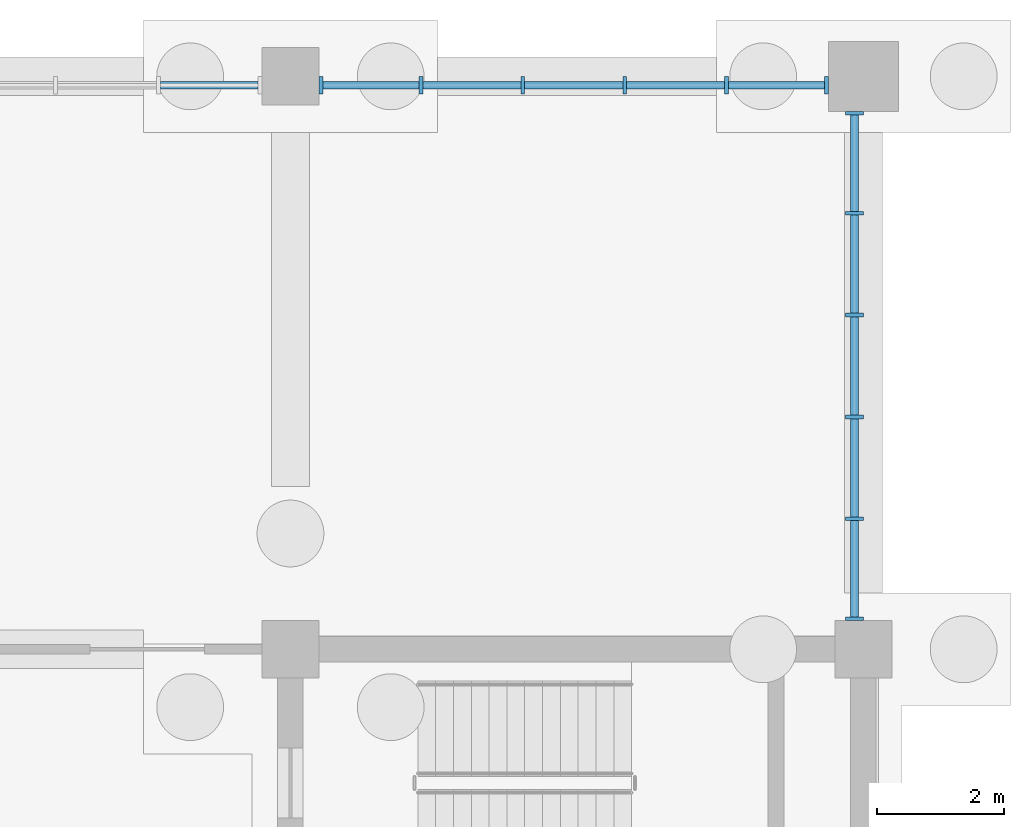
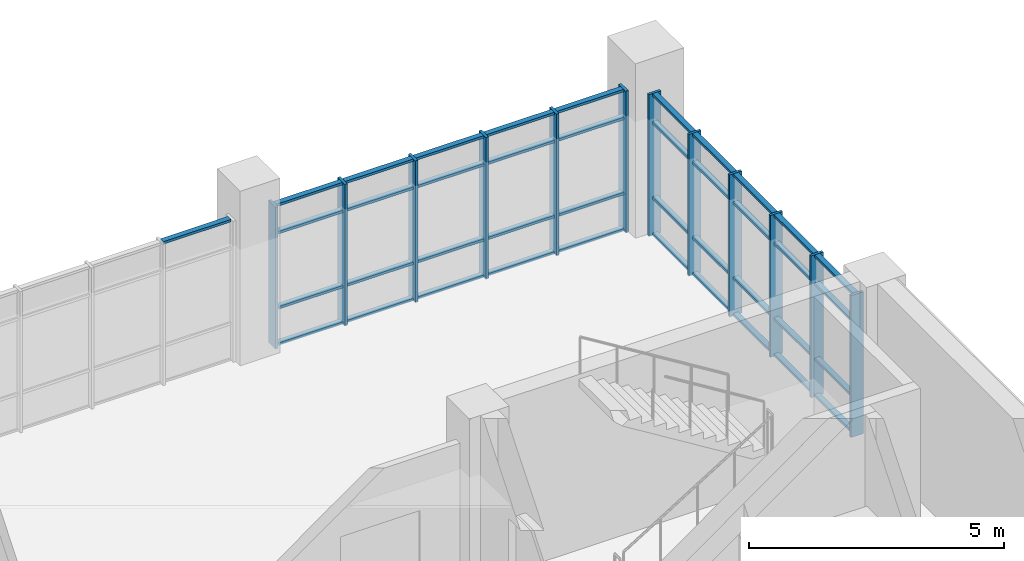
# One storey, part 49 of 106: 53 members, 3 elements without a shape of their own.
"""IFC4 building model written with IfcOpenShell, lengths in metres."""

from ifc_helpers import new_model, si_unit, direction, frame, origin, origin_2d, place, context, subcontext, project, spatial, rectangle, extrude, material, material_profile, profile_set, type_object, element, aggregate, save


model = new_model("IFC4")

# Units and contexts
model_context = context("Model", 3, precision=1e-05, world=origin(), true_north=direction((0.0, 1.0)))
body_context = subcontext(model_context, "Body", "Model", "MODEL_VIEW")
ifc_project = project(units=[si_unit("LENGTHUNIT", "METRE"), si_unit("AREAUNIT", "SQUARE_METRE"), si_unit("VOLUMEUNIT", "CUBIC_METRE"), si_unit("PLANEANGLEUNIT", "RADIAN"), si_unit("MASSUNIT", "GRAM", prefix="KILO")], contexts=[model_context])

# Site, building, storey
site_placement = place(None, origin())
site = spatial("IfcSite", under=ifc_project, at=site_placement, CompositionType="ELEMENT")
building_placement = place(site_placement, origin())
building = spatial("IfcBuilding", under=site, at=building_placement, Name="Merrow Basin Faculty of Sciences", CompositionType="ELEMENT")
storey_placement = place(building_placement, origin())
storey = spatial("IfcBuildingStorey", under=building, at=storey_placement, Name="L00", CompositionType="ELEMENT", Elevation=0.0)

# Curtain wall, members
ifc_material_1 = material(Name="Aluminium alloy 6063", Category="aluminium")
curtain_wall_type = type_object("IfcCurtainWallType", Name="Tower lobby curtain wall 280", PredefinedType="NOTDEFINED", material=ifc_material_1)
curtain_wall_1_placement = place(storey_placement, origin())
curtain_wall_1 = element("IfcCurtainWall", 1, at=curtain_wall_1_placement, inside=storey, type_object=curtain_wall_type, Name="N curtain wall L00 5", PredefinedType="NOTDEFINED")
ifc_material_2 = material(Name="Aluminium alloy 6063", Category="aluminium")
ifc_material_profile_1 = material_profile(ifc_material_2, rectangle(XDim=0.280029296875, YDim=0.06005859375, at=origin_2d()))
ifc_profile_set_1 = profile_set([ifc_material_profile_1], Name="Aluminium alloy 6063")
member_type_1 = type_object("IfcMemberType", Name="Aluminium mullion 60x280", PredefinedType="MULLION", material=ifc_profile_set_1)
member_1_placement = place(storey_placement, frame((45.47998046875, 168.860107421875, 0.0), z_axis=(0.0, 0.0, 1.0), x_axis=(0.0, 1.0, 0.0)))
member_1 = element("IfcMember", 2, at=member_1_placement, type_object=member_type_1, Name="CW10 mullion 1", PredefinedType="MULLION", context=body_context, shape_type="SweptSolid", body=[
    extrude(rectangle(XDim=0.280029296875, YDim=0.06005859375, at=origin_2d()), origin(), (0.0, 0.0, 1.0), 3.39990234375),
])
member_2_placement = place(storey_placement, frame((47.050048828125, 168.860107421875, 0.0), z_axis=(0.0, 0.0, 1.0), x_axis=(0.0, 1.0, 0.0)))
member_2 = element("IfcMember", 3, at=member_2_placement, type_object=member_type_1, Name="CW10 mullion 2", PredefinedType="MULLION", context=body_context, shape_type="SweptSolid", body=[
    extrude(rectangle(XDim=0.280029296875, YDim=0.06005859375, at=origin_2d()), origin(), (0.0, 0.0, 1.0), 3.39990234375),
])
member_3_placement = place(storey_placement, frame((48.64990234375, 168.860107421875, 0.0), z_axis=(0.0, 0.0, 1.0), x_axis=(0.0, 1.0, 0.0)))
member_3 = element("IfcMember", 4, at=member_3_placement, type_object=member_type_1, Name="CW10 mullion 3", PredefinedType="MULLION", context=body_context, shape_type="SweptSolid", body=[
    extrude(rectangle(XDim=0.280029296875, YDim=0.06005859375, at=origin_2d()), origin(), (0.0, 0.0, 1.0), 3.39990234375),
])
member_4_placement = place(storey_placement, frame((50.25, 168.860107421875, 0.0), z_axis=(0.0, 0.0, 1.0), x_axis=(0.0, 1.0, 0.0)))
member_4 = element("IfcMember", 5, at=member_4_placement, type_object=member_type_1, Name="CW10 mullion 4", PredefinedType="MULLION", context=body_context, shape_type="SweptSolid", body=[
    extrude(rectangle(XDim=0.280029296875, YDim=0.06005859375, at=origin_2d()), origin(), (0.0, 0.0, 1.0), 3.39990234375),
])
member_5_placement = place(storey_placement, frame((51.85009765625, 168.860107421875, 0.0), z_axis=(0.0, 0.0, 1.0), x_axis=(0.0, 1.0, 0.0)))
member_5 = element("IfcMember", 6, at=member_5_placement, type_object=member_type_1, Name="CW10 mullion 5", PredefinedType="MULLION", context=body_context, shape_type="SweptSolid", body=[
    extrude(rectangle(XDim=0.280029296875, YDim=0.06005859375, at=origin_2d()), origin(), (0.0, 0.0, 1.0), 3.39990234375),
])
member_6_placement = place(storey_placement, frame((53.419921875, 168.860107421875, 0.0), z_axis=(0.0, 0.0, 1.0), x_axis=(0.0, 1.0, 0.0)))
member_6 = element("IfcMember", 7, at=member_6_placement, type_object=member_type_1, Name="CW10 mullion 6", PredefinedType="MULLION", context=body_context, shape_type="SweptSolid", body=[
    extrude(rectangle(XDim=0.280029296875, YDim=0.06005859375, at=origin_2d()), origin(), (0.0, 0.0, 1.0), 3.39990234375),
])

curtain_wall_2_placement = place(storey_placement, origin())
curtain_wall_2 = element("IfcCurtainWall", 8, at=curtain_wall_2_placement, inside=storey, type_object=curtain_wall_type, Name="E curtain wall L00 1", PredefinedType="NOTDEFINED")
member_7_placement = place(storey_placement, frame((53.860107421875, 160.47998046875, 0.0), z_axis=(0.0, 0.0, 1.0), x_axis=(-1.0, 0.0, 0.0)))
member_7 = element("IfcMember", 9, at=member_7_placement, type_object=member_type_1, Name="CW10 mullion 1", PredefinedType="MULLION", context=body_context, shape_type="SweptSolid", body=[
    extrude(rectangle(XDim=0.280029296875, YDim=0.06005859375, at=origin_2d()), origin(), (0.0, 0.0, 1.0), 3.39990234375),
])
member_8_placement = place(storey_placement, frame((53.860107421875, 162.050048828125, 0.0), z_axis=(0.0, 0.0, 1.0), x_axis=(-1.0, 0.0, 0.0)))
member_8 = element("IfcMember", 10, at=member_8_placement, type_object=member_type_1, Name="CW10 mullion 2", PredefinedType="MULLION", context=body_context, shape_type="SweptSolid", body=[
    extrude(rectangle(XDim=0.280029296875, YDim=0.06005859375, at=origin_2d()), origin(), (0.0, 0.0, 1.0), 3.39990234375),
])
member_9_placement = place(storey_placement, frame((53.860107421875, 163.64990234375, 0.0), z_axis=(0.0, 0.0, 1.0), x_axis=(-1.0, 0.0, 0.0)))
member_9 = element("IfcMember", 11, at=member_9_placement, type_object=member_type_1, Name="CW10 mullion 3", PredefinedType="MULLION", context=body_context, shape_type="SweptSolid", body=[
    extrude(rectangle(XDim=0.280029296875, YDim=0.06005859375, at=origin_2d()), origin(), (0.0, 0.0, 1.0), 3.39990234375),
])
member_10_placement = place(storey_placement, frame((53.860107421875, 165.25, 0.0), z_axis=(0.0, 0.0, 1.0), x_axis=(-1.0, 0.0, 0.0)))
member_10 = element("IfcMember", 12, at=member_10_placement, type_object=member_type_1, Name="CW10 mullion 4", PredefinedType="MULLION", context=body_context, shape_type="SweptSolid", body=[
    extrude(rectangle(XDim=0.280029296875, YDim=0.06005859375, at=origin_2d()), origin(), (0.0, 0.0, 1.0), 3.39990234375),
])
member_11_placement = place(storey_placement, frame((53.860107421875, 166.85009765625, 0.0), z_axis=(0.0, 0.0, 1.0), x_axis=(-1.0, 0.0, 0.0)))
member_11 = element("IfcMember", 13, at=member_11_placement, type_object=member_type_1, Name="CW10 mullion 5", PredefinedType="MULLION", context=body_context, shape_type="SweptSolid", body=[
    extrude(rectangle(XDim=0.280029296875, YDim=0.06005859375, at=origin_2d()), origin(), (0.0, 0.0, 1.0), 3.39990234375),
])
member_12_placement = place(storey_placement, frame((53.860107421875, 168.419921875, 0.0), z_axis=(0.0, 0.0, 1.0), x_axis=(-1.0, 0.0, 0.0)))
member_12 = element("IfcMember", 14, at=member_12_placement, type_object=member_type_1, Name="CW10 mullion 6", PredefinedType="MULLION", context=body_context, shape_type="SweptSolid", body=[
    extrude(rectangle(XDim=0.280029296875, YDim=0.06005859375, at=origin_2d()), origin(), (0.0, 0.0, 1.0), 3.39990234375),
])

# Curtain wall, member
curtain_wall_3_placement = place(storey_placement, origin())
curtain_wall_3 = element("IfcCurtainWall", 15, at=curtain_wall_3_placement, inside=storey, type_object=curtain_wall_type, Name="N curtain wall L00 4", PredefinedType="NOTDEFINED")
ifc_material_3 = material(Name="Aluminium alloy 6063", Category="aluminium")
ifc_material_profile_2 = material_profile(ifc_material_3, rectangle(XDim=0.1201171875, YDim=0.06005859375, at=origin_2d()))
ifc_profile_set_2 = profile_set([ifc_material_profile_2], Name="Aluminium alloy 6063")
member_type_2 = type_object("IfcMemberType", Name="Aluminium transom 60x120", PredefinedType="USERDEFINED", material=ifc_profile_set_2)
member_13_placement = place(storey_placement, frame((42.9599609375, 168.860107421875, 3.3701171875), z_axis=(1.0, 0.0, 0.0), x_axis=(0.0, 1.0, 0.0)))
member_13 = element("IfcMember", 16, at=member_13_placement, type_object=member_type_2, Name="CW10 transom 5.4", ObjectType="TRANSOM", PredefinedType="USERDEFINED", context=body_context, shape_type="SweptSolid", body=[
    extrude(rectangle(XDim=0.1201171875, YDim=0.06005859375, at=origin_2d()), origin(), (0.0, 0.0, 1.0), 1.530029296875),
])
aggregate(curtain_wall_3, [member_13])

# Member
member_14_placement = place(storey_placement, frame((45.510009765625, 168.860107421875, 0.030029296875), z_axis=(1.0, 0.0, 0.0), x_axis=(0.0, 1.0, 0.0)))
member_14 = element("IfcMember", 17, at=member_14_placement, type_object=member_type_2, Name="CW10 transom 1.1", ObjectType="TRANSOM", PredefinedType="USERDEFINED", context=body_context, shape_type="SweptSolid", body=[
    extrude(rectangle(XDim=0.1201171875, YDim=0.06005859375, at=origin_2d()), origin(), (0.0, 0.0, 1.0), 1.510009765625),
])

member_15_placement = place(storey_placement, frame((45.510009765625, 168.860107421875, 0.89990234375), z_axis=(1.0, 0.0, 0.0), x_axis=(0.0, 1.0, 0.0)))
member_15 = element("IfcMember", 18, at=member_15_placement, type_object=member_type_2, Name="CW10 transom 1.2", ObjectType="TRANSOM", PredefinedType="USERDEFINED", context=body_context, shape_type="SweptSolid", body=[
    extrude(rectangle(XDim=0.1201171875, YDim=0.06005859375, at=origin_2d()), origin(), (0.0, 0.0, 1.0), 1.510009765625),
])

member_16_placement = place(storey_placement, frame((45.510009765625, 168.860107421875, 2.699951171875), z_axis=(1.0, 0.0, 0.0), x_axis=(0.0, 1.0, 0.0)))
member_16 = element("IfcMember", 19, at=member_16_placement, type_object=member_type_2, Name="CW10 transom 1.3", ObjectType="TRANSOM", PredefinedType="USERDEFINED", context=body_context, shape_type="SweptSolid", body=[
    extrude(rectangle(XDim=0.1201171875, YDim=0.06005859375, at=origin_2d()), origin(), (0.0, 0.0, 1.0), 1.510009765625),
])

member_17_placement = place(storey_placement, frame((45.510009765625, 168.860107421875, 3.3701171875), z_axis=(1.0, 0.0, 0.0), x_axis=(0.0, 1.0, 0.0)))
member_17 = element("IfcMember", 20, at=member_17_placement, type_object=member_type_2, Name="CW10 transom 1.4", ObjectType="TRANSOM", PredefinedType="USERDEFINED", context=body_context, shape_type="SweptSolid", body=[
    extrude(rectangle(XDim=0.1201171875, YDim=0.06005859375, at=origin_2d()), origin(), (0.0, 0.0, 1.0), 1.510009765625),
])

member_18_placement = place(storey_placement, frame((47.080078125, 168.860107421875, 0.030029296875), z_axis=(1.0, 0.0, 0.0), x_axis=(0.0, 1.0, 0.0)))
member_18 = element("IfcMember", 21, at=member_18_placement, type_object=member_type_2, Name="CW10 transom 2.1", ObjectType="TRANSOM", PredefinedType="USERDEFINED", context=body_context, shape_type="SweptSolid", body=[
    extrude(rectangle(XDim=0.1201171875, YDim=0.06005859375, at=origin_2d()), origin(), (0.0, 0.0, 1.0), 1.5400390625),
])

member_19_placement = place(storey_placement, frame((47.080078125, 168.860107421875, 0.89990234375), z_axis=(1.0, 0.0, 0.0), x_axis=(0.0, 1.0, 0.0)))
member_19 = element("IfcMember", 22, at=member_19_placement, type_object=member_type_2, Name="CW10 transom 2.2", ObjectType="TRANSOM", PredefinedType="USERDEFINED", context=body_context, shape_type="SweptSolid", body=[
    extrude(rectangle(XDim=0.1201171875, YDim=0.06005859375, at=origin_2d()), origin(), (0.0, 0.0, 1.0), 1.5400390625),
])

member_20_placement = place(storey_placement, frame((47.080078125, 168.860107421875, 2.699951171875), z_axis=(1.0, 0.0, 0.0), x_axis=(0.0, 1.0, 0.0)))
member_20 = element("IfcMember", 23, at=member_20_placement, type_object=member_type_2, Name="CW10 transom 2.3", ObjectType="TRANSOM", PredefinedType="USERDEFINED", context=body_context, shape_type="SweptSolid", body=[
    extrude(rectangle(XDim=0.1201171875, YDim=0.06005859375, at=origin_2d()), origin(), (0.0, 0.0, 1.0), 1.5400390625),
])

member_21_placement = place(storey_placement, frame((47.080078125, 168.860107421875, 3.3701171875), z_axis=(1.0, 0.0, 0.0), x_axis=(0.0, 1.0, 0.0)))
member_21 = element("IfcMember", 24, at=member_21_placement, type_object=member_type_2, Name="CW10 transom 2.4", ObjectType="TRANSOM", PredefinedType="USERDEFINED", context=body_context, shape_type="SweptSolid", body=[
    extrude(rectangle(XDim=0.1201171875, YDim=0.06005859375, at=origin_2d()), origin(), (0.0, 0.0, 1.0), 1.5400390625),
])

member_22_placement = place(storey_placement, frame((48.679931640625, 168.860107421875, 0.030029296875), z_axis=(1.0, 0.0, 0.0), x_axis=(0.0, 1.0, 0.0)))
member_22 = element("IfcMember", 25, at=member_22_placement, type_object=member_type_2, Name="CW10 transom 3.1", ObjectType="TRANSOM", PredefinedType="USERDEFINED", context=body_context, shape_type="SweptSolid", body=[
    extrude(rectangle(XDim=0.1201171875, YDim=0.06005859375, at=origin_2d()), origin(), (0.0, 0.0, 1.0), 1.5400390625),
])

member_23_placement = place(storey_placement, frame((48.679931640625, 168.860107421875, 0.89990234375), z_axis=(1.0, 0.0, 0.0), x_axis=(0.0, 1.0, 0.0)))
member_23 = element("IfcMember", 26, at=member_23_placement, type_object=member_type_2, Name="CW10 transom 3.2", ObjectType="TRANSOM", PredefinedType="USERDEFINED", context=body_context, shape_type="SweptSolid", body=[
    extrude(rectangle(XDim=0.1201171875, YDim=0.06005859375, at=origin_2d()), origin(), (0.0, 0.0, 1.0), 1.5400390625),
])

member_24_placement = place(storey_placement, frame((48.679931640625, 168.860107421875, 2.699951171875), z_axis=(1.0, 0.0, 0.0), x_axis=(0.0, 1.0, 0.0)))
member_24 = element("IfcMember", 27, at=member_24_placement, type_object=member_type_2, Name="CW10 transom 3.3", ObjectType="TRANSOM", PredefinedType="USERDEFINED", context=body_context, shape_type="SweptSolid", body=[
    extrude(rectangle(XDim=0.1201171875, YDim=0.06005859375, at=origin_2d()), origin(), (0.0, 0.0, 1.0), 1.5400390625),
])

member_25_placement = place(storey_placement, frame((48.679931640625, 168.860107421875, 3.3701171875), z_axis=(1.0, 0.0, 0.0), x_axis=(0.0, 1.0, 0.0)))
member_25 = element("IfcMember", 28, at=member_25_placement, type_object=member_type_2, Name="CW10 transom 3.4", ObjectType="TRANSOM", PredefinedType="USERDEFINED", context=body_context, shape_type="SweptSolid", body=[
    extrude(rectangle(XDim=0.1201171875, YDim=0.06005859375, at=origin_2d()), origin(), (0.0, 0.0, 1.0), 1.5400390625),
])

member_26_placement = place(storey_placement, frame((50.280029296875, 168.860107421875, 0.030029296875), z_axis=(1.0, 0.0, 0.0), x_axis=(0.0, 1.0, 0.0)))
member_26 = element("IfcMember", 29, at=member_26_placement, type_object=member_type_2, Name="CW10 transom 4.1", ObjectType="TRANSOM", PredefinedType="USERDEFINED", context=body_context, shape_type="SweptSolid", body=[
    extrude(rectangle(XDim=0.1201171875, YDim=0.06005859375, at=origin_2d()), origin(), (0.0, 0.0, 1.0), 1.5400390625),
])

member_27_placement = place(storey_placement, frame((50.280029296875, 168.860107421875, 0.89990234375), z_axis=(1.0, 0.0, 0.0), x_axis=(0.0, 1.0, 0.0)))
member_27 = element("IfcMember", 30, at=member_27_placement, type_object=member_type_2, Name="CW10 transom 4.2", ObjectType="TRANSOM", PredefinedType="USERDEFINED", context=body_context, shape_type="SweptSolid", body=[
    extrude(rectangle(XDim=0.1201171875, YDim=0.06005859375, at=origin_2d()), origin(), (0.0, 0.0, 1.0), 1.5400390625),
])

member_28_placement = place(storey_placement, frame((50.280029296875, 168.860107421875, 2.699951171875), z_axis=(1.0, 0.0, 0.0), x_axis=(0.0, 1.0, 0.0)))
member_28 = element("IfcMember", 31, at=member_28_placement, type_object=member_type_2, Name="CW10 transom 4.3", ObjectType="TRANSOM", PredefinedType="USERDEFINED", context=body_context, shape_type="SweptSolid", body=[
    extrude(rectangle(XDim=0.1201171875, YDim=0.06005859375, at=origin_2d()), origin(), (0.0, 0.0, 1.0), 1.5400390625),
])

member_29_placement = place(storey_placement, frame((50.280029296875, 168.860107421875, 3.3701171875), z_axis=(1.0, 0.0, 0.0), x_axis=(0.0, 1.0, 0.0)))
member_29 = element("IfcMember", 32, at=member_29_placement, type_object=member_type_2, Name="CW10 transom 4.4", ObjectType="TRANSOM", PredefinedType="USERDEFINED", context=body_context, shape_type="SweptSolid", body=[
    extrude(rectangle(XDim=0.1201171875, YDim=0.06005859375, at=origin_2d()), origin(), (0.0, 0.0, 1.0), 1.5400390625),
])

member_30_placement = place(storey_placement, frame((51.8798828125, 168.860107421875, 0.030029296875), z_axis=(1.0, 0.0, 0.0), x_axis=(0.0, 1.0, 0.0)))
member_30 = element("IfcMember", 33, at=member_30_placement, type_object=member_type_2, Name="CW10 transom 5.1", ObjectType="TRANSOM", PredefinedType="USERDEFINED", context=body_context, shape_type="SweptSolid", body=[
    extrude(rectangle(XDim=0.1201171875, YDim=0.06005859375, at=origin_2d()), origin(), (0.0, 0.0, 1.0), 1.510009765625),
])

member_31_placement = place(storey_placement, frame((51.8798828125, 168.860107421875, 0.89990234375), z_axis=(1.0, 0.0, 0.0), x_axis=(0.0, 1.0, 0.0)))
member_31 = element("IfcMember", 34, at=member_31_placement, type_object=member_type_2, Name="CW10 transom 5.2", ObjectType="TRANSOM", PredefinedType="USERDEFINED", context=body_context, shape_type="SweptSolid", body=[
    extrude(rectangle(XDim=0.1201171875, YDim=0.06005859375, at=origin_2d()), origin(), (0.0, 0.0, 1.0), 1.510009765625),
])

member_32_placement = place(storey_placement, frame((51.8798828125, 168.860107421875, 2.699951171875), z_axis=(1.0, 0.0, 0.0), x_axis=(0.0, 1.0, 0.0)))
member_32 = element("IfcMember", 35, at=member_32_placement, type_object=member_type_2, Name="CW10 transom 5.3", ObjectType="TRANSOM", PredefinedType="USERDEFINED", context=body_context, shape_type="SweptSolid", body=[
    extrude(rectangle(XDim=0.1201171875, YDim=0.06005859375, at=origin_2d()), origin(), (0.0, 0.0, 1.0), 1.510009765625),
])

member_33_placement = place(storey_placement, frame((51.8798828125, 168.860107421875, 3.3701171875), z_axis=(1.0, 0.0, 0.0), x_axis=(0.0, 1.0, 0.0)))
member_33 = element("IfcMember", 36, at=member_33_placement, type_object=member_type_2, Name="CW10 transom 5.4", ObjectType="TRANSOM", PredefinedType="USERDEFINED", context=body_context, shape_type="SweptSolid", body=[
    extrude(rectangle(XDim=0.1201171875, YDim=0.06005859375, at=origin_2d()), origin(), (0.0, 0.0, 1.0), 1.510009765625),
])

aggregate(curtain_wall_1, [member_1, member_2, member_3, member_4, member_5, member_6, member_14, member_15, member_16, member_17, member_18, member_19, member_20, member_21, member_22, member_23, member_24, member_25, member_26, member_27, member_28, member_29, member_30, member_31, member_32, member_33])

member_34_placement = place(storey_placement, frame((53.860107421875, 160.510009765625, 0.030029296875), z_axis=(0.0, 1.0, 0.0), x_axis=(-1.0, 0.0, 0.0)))
member_34 = element("IfcMember", 37, at=member_34_placement, type_object=member_type_2, Name="CW10 transom 1.1", ObjectType="TRANSOM", PredefinedType="USERDEFINED", context=body_context, shape_type="SweptSolid", body=[
    extrude(rectangle(XDim=0.1201171875, YDim=0.06005859375, at=origin_2d()), origin(), (0.0, 0.0, 1.0), 1.510009765625),
])

member_35_placement = place(storey_placement, frame((53.860107421875, 160.510009765625, 0.89990234375), z_axis=(0.0, 1.0, 0.0), x_axis=(-1.0, 0.0, 0.0)))
member_35 = element("IfcMember", 38, at=member_35_placement, type_object=member_type_2, Name="CW10 transom 1.2", ObjectType="TRANSOM", PredefinedType="USERDEFINED", context=body_context, shape_type="SweptSolid", body=[
    extrude(rectangle(XDim=0.1201171875, YDim=0.06005859375, at=origin_2d()), origin(), (0.0, 0.0, 1.0), 1.510009765625),
])

member_36_placement = place(storey_placement, frame((53.860107421875, 160.510009765625, 2.699951171875), z_axis=(0.0, 1.0, 0.0), x_axis=(-1.0, 0.0, 0.0)))
member_36 = element("IfcMember", 39, at=member_36_placement, type_object=member_type_2, Name="CW10 transom 1.3", ObjectType="TRANSOM", PredefinedType="USERDEFINED", context=body_context, shape_type="SweptSolid", body=[
    extrude(rectangle(XDim=0.1201171875, YDim=0.06005859375, at=origin_2d()), origin(), (0.0, 0.0, 1.0), 1.510009765625),
])

member_37_placement = place(storey_placement, frame((53.860107421875, 160.510009765625, 3.3701171875), z_axis=(0.0, 1.0, 0.0), x_axis=(-1.0, 0.0, 0.0)))
member_37 = element("IfcMember", 40, at=member_37_placement, type_object=member_type_2, Name="CW10 transom 1.4", ObjectType="TRANSOM", PredefinedType="USERDEFINED", context=body_context, shape_type="SweptSolid", body=[
    extrude(rectangle(XDim=0.1201171875, YDim=0.06005859375, at=origin_2d()), origin(), (0.0, 0.0, 1.0), 1.510009765625),
])

member_38_placement = place(storey_placement, frame((53.860107421875, 162.080078125, 0.030029296875), z_axis=(0.0, 1.0, 0.0), x_axis=(-1.0, 0.0, 0.0)))
member_38 = element("IfcMember", 41, at=member_38_placement, type_object=member_type_2, Name="CW10 transom 2.1", ObjectType="TRANSOM", PredefinedType="USERDEFINED", context=body_context, shape_type="SweptSolid", body=[
    extrude(rectangle(XDim=0.1201171875, YDim=0.06005859375, at=origin_2d()), origin(), (0.0, 0.0, 1.0), 1.5400390625),
])

member_39_placement = place(storey_placement, frame((53.860107421875, 162.080078125, 0.89990234375), z_axis=(0.0, 1.0, 0.0), x_axis=(-1.0, 0.0, 0.0)))
member_39 = element("IfcMember", 42, at=member_39_placement, type_object=member_type_2, Name="CW10 transom 2.2", ObjectType="TRANSOM", PredefinedType="USERDEFINED", context=body_context, shape_type="SweptSolid", body=[
    extrude(rectangle(XDim=0.1201171875, YDim=0.06005859375, at=origin_2d()), origin(), (0.0, 0.0, 1.0), 1.5400390625),
])

member_40_placement = place(storey_placement, frame((53.860107421875, 162.080078125, 2.699951171875), z_axis=(0.0, 1.0, 0.0), x_axis=(-1.0, 0.0, 0.0)))
member_40 = element("IfcMember", 43, at=member_40_placement, type_object=member_type_2, Name="CW10 transom 2.3", ObjectType="TRANSOM", PredefinedType="USERDEFINED", context=body_context, shape_type="SweptSolid", body=[
    extrude(rectangle(XDim=0.1201171875, YDim=0.06005859375, at=origin_2d()), origin(), (0.0, 0.0, 1.0), 1.5400390625),
])

member_41_placement = place(storey_placement, frame((53.860107421875, 162.080078125, 3.3701171875), z_axis=(0.0, 1.0, 0.0), x_axis=(-1.0, 0.0, 0.0)))
member_41 = element("IfcMember", 44, at=member_41_placement, type_object=member_type_2, Name="CW10 transom 2.4", ObjectType="TRANSOM", PredefinedType="USERDEFINED", context=body_context, shape_type="SweptSolid", body=[
    extrude(rectangle(XDim=0.1201171875, YDim=0.06005859375, at=origin_2d()), origin(), (0.0, 0.0, 1.0), 1.5400390625),
])

member_42_placement = place(storey_placement, frame((53.860107421875, 163.679931640625, 0.030029296875), z_axis=(0.0, 1.0, 0.0), x_axis=(-1.0, 0.0, 0.0)))
member_42 = element("IfcMember", 45, at=member_42_placement, type_object=member_type_2, Name="CW10 transom 3.1", ObjectType="TRANSOM", PredefinedType="USERDEFINED", context=body_context, shape_type="SweptSolid", body=[
    extrude(rectangle(XDim=0.1201171875, YDim=0.06005859375, at=origin_2d()), origin(), (0.0, 0.0, 1.0), 1.5400390625),
])

member_43_placement = place(storey_placement, frame((53.860107421875, 163.679931640625, 0.89990234375), z_axis=(0.0, 1.0, 0.0), x_axis=(-1.0, 0.0, 0.0)))
member_43 = element("IfcMember", 46, at=member_43_placement, type_object=member_type_2, Name="CW10 transom 3.2", ObjectType="TRANSOM", PredefinedType="USERDEFINED", context=body_context, shape_type="SweptSolid", body=[
    extrude(rectangle(XDim=0.1201171875, YDim=0.06005859375, at=origin_2d()), origin(), (0.0, 0.0, 1.0), 1.5400390625),
])

member_44_placement = place(storey_placement, frame((53.860107421875, 163.679931640625, 2.699951171875), z_axis=(0.0, 1.0, 0.0), x_axis=(-1.0, 0.0, 0.0)))
member_44 = element("IfcMember", 47, at=member_44_placement, type_object=member_type_2, Name="CW10 transom 3.3", ObjectType="TRANSOM", PredefinedType="USERDEFINED", context=body_context, shape_type="SweptSolid", body=[
    extrude(rectangle(XDim=0.1201171875, YDim=0.06005859375, at=origin_2d()), origin(), (0.0, 0.0, 1.0), 1.5400390625),
])

member_45_placement = place(storey_placement, frame((53.860107421875, 163.679931640625, 3.3701171875), z_axis=(0.0, 1.0, 0.0), x_axis=(-1.0, 0.0, 0.0)))
member_45 = element("IfcMember", 48, at=member_45_placement, type_object=member_type_2, Name="CW10 transom 3.4", ObjectType="TRANSOM", PredefinedType="USERDEFINED", context=body_context, shape_type="SweptSolid", body=[
    extrude(rectangle(XDim=0.1201171875, YDim=0.06005859375, at=origin_2d()), origin(), (0.0, 0.0, 1.0), 1.5400390625),
])

member_46_placement = place(storey_placement, frame((53.860107421875, 165.280029296875, 0.030029296875), z_axis=(0.0, 1.0, 0.0), x_axis=(-1.0, 0.0, 0.0)))
member_46 = element("IfcMember", 49, at=member_46_placement, type_object=member_type_2, Name="CW10 transom 4.1", ObjectType="TRANSOM", PredefinedType="USERDEFINED", context=body_context, shape_type="SweptSolid", body=[
    extrude(rectangle(XDim=0.1201171875, YDim=0.06005859375, at=origin_2d()), origin(), (0.0, 0.0, 1.0), 1.5400390625),
])

member_47_placement = place(storey_placement, frame((53.860107421875, 165.280029296875, 0.89990234375), z_axis=(0.0, 1.0, 0.0), x_axis=(-1.0, 0.0, 0.0)))
member_47 = element("IfcMember", 50, at=member_47_placement, type_object=member_type_2, Name="CW10 transom 4.2", ObjectType="TRANSOM", PredefinedType="USERDEFINED", context=body_context, shape_type="SweptSolid", body=[
    extrude(rectangle(XDim=0.1201171875, YDim=0.06005859375, at=origin_2d()), origin(), (0.0, 0.0, 1.0), 1.5400390625),
])

member_48_placement = place(storey_placement, frame((53.860107421875, 165.280029296875, 2.699951171875), z_axis=(0.0, 1.0, 0.0), x_axis=(-1.0, 0.0, 0.0)))
member_48 = element("IfcMember", 51, at=member_48_placement, type_object=member_type_2, Name="CW10 transom 4.3", ObjectType="TRANSOM", PredefinedType="USERDEFINED", context=body_context, shape_type="SweptSolid", body=[
    extrude(rectangle(XDim=0.1201171875, YDim=0.06005859375, at=origin_2d()), origin(), (0.0, 0.0, 1.0), 1.5400390625),
])

member_49_placement = place(storey_placement, frame((53.860107421875, 165.280029296875, 3.3701171875), z_axis=(0.0, 1.0, 0.0), x_axis=(-1.0, 0.0, 0.0)))
member_49 = element("IfcMember", 52, at=member_49_placement, type_object=member_type_2, Name="CW10 transom 4.4", ObjectType="TRANSOM", PredefinedType="USERDEFINED", context=body_context, shape_type="SweptSolid", body=[
    extrude(rectangle(XDim=0.1201171875, YDim=0.06005859375, at=origin_2d()), origin(), (0.0, 0.0, 1.0), 1.5400390625),
])

member_50_placement = place(storey_placement, frame((53.860107421875, 166.8798828125, 0.030029296875), z_axis=(0.0, 1.0, 0.0), x_axis=(-1.0, 0.0, 0.0)))
member_50 = element("IfcMember", 53, at=member_50_placement, type_object=member_type_2, Name="CW10 transom 5.1", ObjectType="TRANSOM", PredefinedType="USERDEFINED", context=body_context, shape_type="SweptSolid", body=[
    extrude(rectangle(XDim=0.1201171875, YDim=0.06005859375, at=origin_2d()), origin(), (0.0, 0.0, 1.0), 1.510009765625),
])

member_51_placement = place(storey_placement, frame((53.860107421875, 166.8798828125, 0.89990234375), z_axis=(0.0, 1.0, 0.0), x_axis=(-1.0, 0.0, 0.0)))
member_51 = element("IfcMember", 54, at=member_51_placement, type_object=member_type_2, Name="CW10 transom 5.2", ObjectType="TRANSOM", PredefinedType="USERDEFINED", context=body_context, shape_type="SweptSolid", body=[
    extrude(rectangle(XDim=0.1201171875, YDim=0.06005859375, at=origin_2d()), origin(), (0.0, 0.0, 1.0), 1.510009765625),
])

member_52_placement = place(storey_placement, frame((53.860107421875, 166.8798828125, 2.699951171875), z_axis=(0.0, 1.0, 0.0), x_axis=(-1.0, 0.0, 0.0)))
member_52 = element("IfcMember", 55, at=member_52_placement, type_object=member_type_2, Name="CW10 transom 5.3", ObjectType="TRANSOM", PredefinedType="USERDEFINED", context=body_context, shape_type="SweptSolid", body=[
    extrude(rectangle(XDim=0.1201171875, YDim=0.06005859375, at=origin_2d()), origin(), (0.0, 0.0, 1.0), 1.510009765625),
])

member_53_placement = place(storey_placement, frame((53.860107421875, 166.8798828125, 3.3701171875), z_axis=(0.0, 1.0, 0.0), x_axis=(-1.0, 0.0, 0.0)))
member_53 = element("IfcMember", 56, at=member_53_placement, type_object=member_type_2, Name="CW10 transom 5.4", ObjectType="TRANSOM", PredefinedType="USERDEFINED", context=body_context, shape_type="SweptSolid", body=[
    extrude(rectangle(XDim=0.1201171875, YDim=0.06005859375, at=origin_2d()), origin(), (0.0, 0.0, 1.0), 1.510009765625),
])

aggregate(curtain_wall_2, [member_7, member_8, member_9, member_10, member_11, member_12, member_34, member_35, member_36, member_37, member_38, member_39, member_40, member_41, member_42, member_43, member_44, member_45, member_46, member_47, member_48, member_49, member_50, member_51, member_52, member_53])

save(model, "model.ifc")
